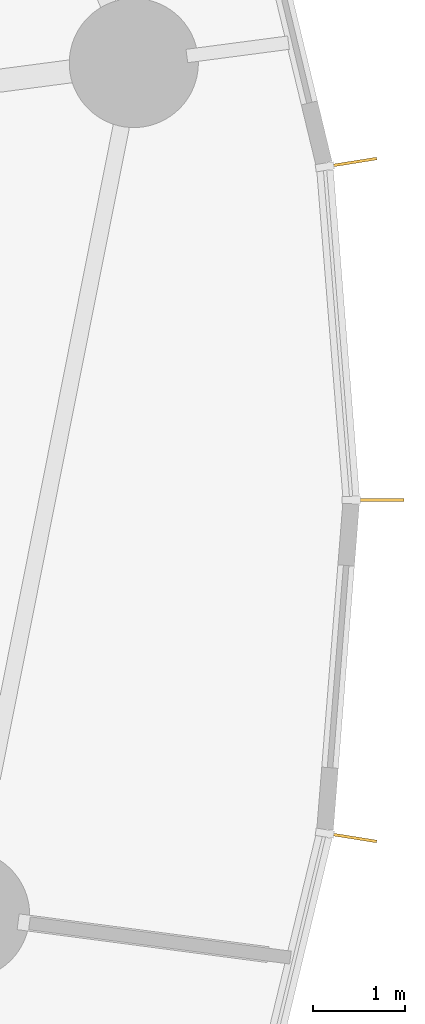
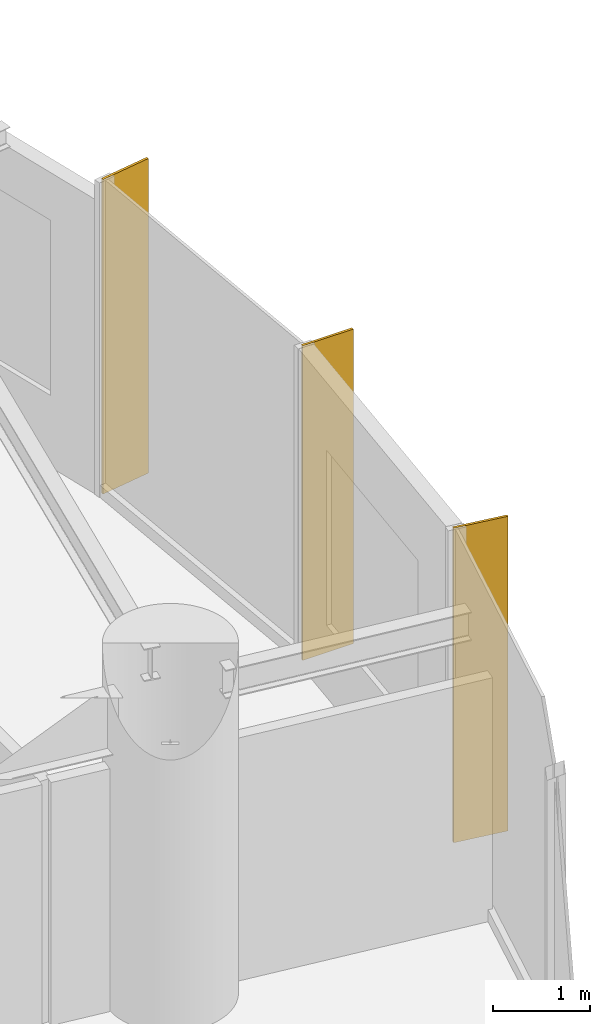
# One storey, part 19 of 19: 3 shading devices.
"""IFC4 building model written with IfcOpenShell, lengths in metres."""

from ifc_helpers import new_model, si_unit, direction, frame, origin, origin_2d, place, context, subcontext, project, spatial, rectangle, extrude, source, transform, mapped, material, material_profile, profile_set, type_object, element, save


model = new_model("IFC4")

# Units and contexts
model_context = context("Model", 3, precision=1e-05, world=origin(), true_north=direction((0.0, 1.0)))
body_context = subcontext(model_context, "Body", "Model", "MODEL_VIEW")
ifc_project = project(units=[si_unit("LENGTHUNIT", "METRE"), si_unit("AREAUNIT", "SQUARE_METRE"), si_unit("VOLUMEUNIT", "CUBIC_METRE"), si_unit("PLANEANGLEUNIT", "RADIAN"), si_unit("MASSUNIT", "GRAM", prefix="KILO")], contexts=[model_context])

# Site, building, storey
site_placement = place(None, origin())
site = spatial("IfcSite", under=ifc_project, at=site_placement, CompositionType="ELEMENT")
building_placement = place(site_placement, origin())
building = spatial("IfcBuilding", under=site, at=building_placement, Name="Spindrift Exchange Tower", CompositionType="ELEMENT")
storey_placement = place(building_placement, frame((0.0, 0.0, 22.60009765625)))
storey = spatial("IfcBuildingStorey", under=building, at=storey_placement, Name="L05", CompositionType="ELEMENT", Elevation=22.60009765625)

# Shading devices
ifc_material = material(Name="Bronze anodised aluminium", Category="aluminium")
ifc_material_profile = material_profile(ifc_material, rectangle(XDim=0.030029296875, YDim=0.60009765625, at=origin_2d()), Name="WIND FIN 30X600")
ifc_profile_set = profile_set([ifc_material_profile], Name="Bronze anodised aluminium")
shading_device_type = type_object("IfcShadingDeviceType", Name="WIND FIN 30X600", PredefinedType="USERDEFINED", material=ifc_profile_set)
shared_shape = source(origin(), body_context, "Body", "SweptSolid", [
    extrude(rectangle(XDim=0.030029296875, YDim=0.60009765625, at=origin_2d()), origin(), (0.0, 0.0, 1.0), 3.949951171875),
])
for number, where, z_axis, x_axis, name in (
    (1, (90.6201171875, 48.0, 0.0), (0.0, 0.0, 1.0), (0.0, 1.0, 0.0), "L05 wind fin 2"),
    (2, (90.327880859375, 51.655517578125, 0.0), (0.0, 0.0, 1.0), (-0.157610013743, 0.987501434717, 0.0), "L05 wind fin 3"),
    (3, (90.327880859375, 44.344482421875, 0.0), (0.0, 0.0, 1.0), (0.157610013743, 0.987501434717, 0.0), "L05 wind fin 4"),
):
    element("IfcShadingDevice", number, at=place(storey_placement, frame(where, z_axis=z_axis, x_axis=x_axis)), inside=storey, type_object=shading_device_type, Name=name, ObjectType="FIN", PredefinedType="USERDEFINED", context=body_context, shape_type="MappedRepresentation", body=[
        mapped(shared_shape, transform((0.0, 0.0, 0.0), scale=1.0)),
    ])

save(model, "model.ifc")
